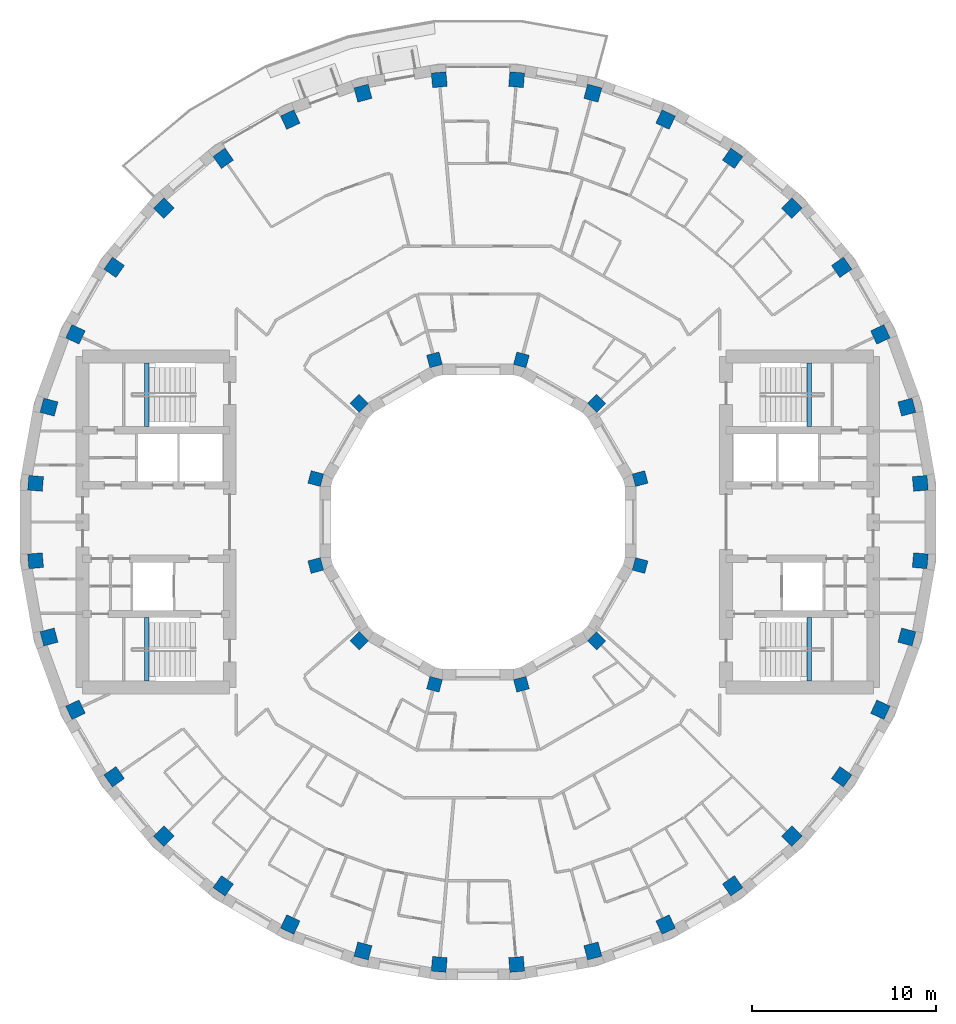
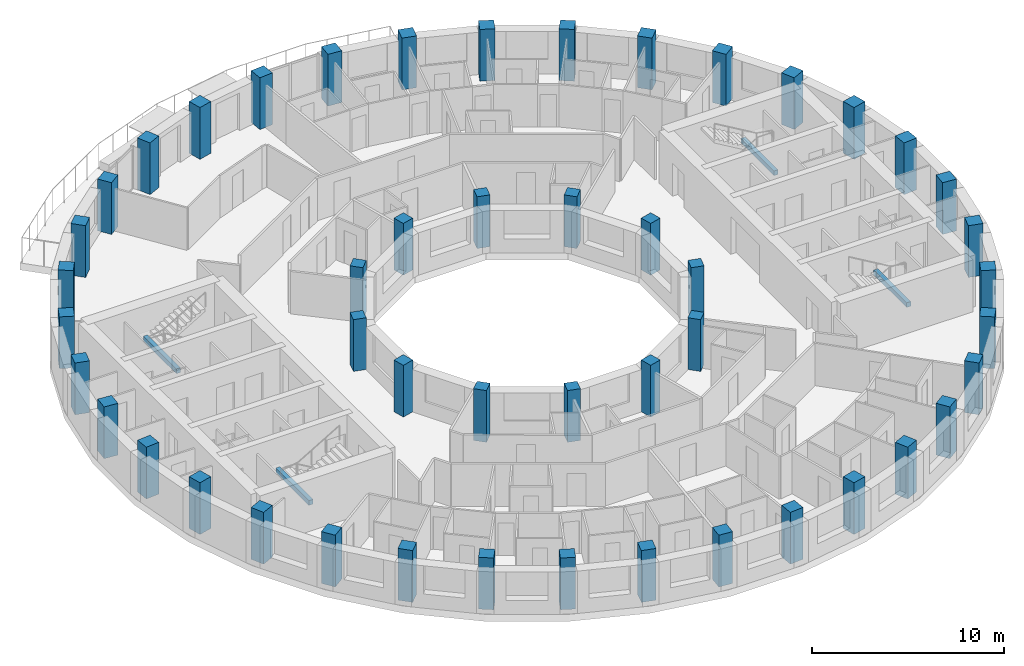
# One storey, part 1 of 14: 48 columns, 4 beams.
"""IFC4 building model written with IfcOpenShell, lengths in metres."""

from ifc_helpers import new_model, si_unit, direction, frame, origin, origin_2d, place, context, subcontext, project, spatial, rectangle, extrude, material, material_profile, profile_set, type_object, element, save


model = new_model("IFC4")

# Units and contexts
model_context = context("Model", 3, precision=1e-05, world=origin(), true_north=direction((0.0, 1.0)))
body_context = subcontext(model_context, "Body", "Model", "MODEL_VIEW")
ifc_project = project(units=[si_unit("LENGTHUNIT", "METRE"), si_unit("AREAUNIT", "SQUARE_METRE"), si_unit("VOLUMEUNIT", "CUBIC_METRE"), si_unit("PLANEANGLEUNIT", "RADIAN"), si_unit("MASSUNIT", "GRAM", prefix="KILO")], contexts=[model_context])

# Site, building, storey
site_placement = place(None, origin())
site = spatial("IfcSite", under=ifc_project, at=site_placement, CompositionType="ELEMENT")
building_placement = place(site_placement, origin())
building = spatial("IfcBuilding", under=site, at=building_placement, Name="Saqina Gate Tower", CompositionType="ELEMENT")
storey_placement = place(building_placement, frame((0.0, 0.0, 216.89990234375)))
storey = spatial("IfcBuildingStorey", under=building, at=storey_placement, Name="L62", CompositionType="ELEMENT", Elevation=216.89990234375)

# Columns
ifc_material_1 = material(Name="Concrete C60/75", Category="concrete")
ifc_material_profile_1 = material_profile(ifc_material_1, rectangle(XDim=0.699951171875, YDim=0.699951171875, at=origin_2d()), Name="RC 700x700")
ifc_profile_set_1 = profile_set([ifc_material_profile_1], Name="Concrete C60/75")
column_type_1 = type_object("IfcColumnType", Name="STR-COL-IN-C", PredefinedType="COLUMN", material=ifc_profile_set_1)
for number, where, z_axis, x_axis, name in (
    (1, (8.821044921875, 2.363525390625, 0.0), (0.0, 0.0, 1.0), (0.965925826289, 0.258819045103, 0.0), "L62-ICL01"),
    (2, (6.45751953125, 6.45751953125, 0.0), (0.0, 0.0, 1.0), (0.707106781187, 0.707106781187, 0.0), "L62-ICL02"),
    (3, (2.363525390625, 8.821044921875, 0.0), (0.0, 0.0, 1.0), (0.258819045103, 0.965925826289, 0.0), "L62-ICL03"),
    (4, (-2.363525390625, 8.821044921875, 0.0), (0.0, 0.0, 1.0), (-0.258819045103, 0.965925826289, 0.0), "L62-ICL04"),
    (5, (-6.45751953125, 6.45751953125, 0.0), (0.0, 0.0, 1.0), (-0.707106781187, 0.707106781187, 0.0), "L62-ICL05"),
    (6, (-8.821044921875, 2.363525390625, 0.0), (0.0, 0.0, 1.0), (-0.965925826289, 0.258819045103, 0.0), "L62-ICL06"),
    (7, (-8.821044921875, -2.363525390625, 0.0), (0.0, 0.0, 1.0), (-0.965925826289, -0.258819045103, 0.0), "L62-ICL07"),
    (8, (-6.45751953125, -6.45751953125, 0.0), (0.0, 0.0, 1.0), (-0.707106781187, -0.707106781187, 0.0), "L62-ICL08"),
    (9, (-2.363525390625, -8.821044921875, 0.0), (0.0, 0.0, 1.0), (-0.258819045103, -0.965925826289, 0.0), "L62-ICL09"),
    (10, (2.363525390625, -8.821044921875, 0.0), (0.0, 0.0, 1.0), (0.258819045103, -0.965925826289, 0.0), "L62-ICL10"),
    (11, (6.45751953125, -6.45751953125, 0.0), (0.0, 0.0, 1.0), (0.707106781187, -0.707106781187, 0.0), "L62-ICL11"),
    (12, (8.821044921875, -2.363525390625, 0.0), (0.0, 0.0, 1.0), (0.965925826289, -0.258819045103, 0.0), "L62-ICL12"),
):
    element("IfcColumn", number, at=place(storey_placement, frame(where, z_axis=z_axis, x_axis=x_axis)), inside=storey, type_object=column_type_1, Name=name, PredefinedType="COLUMN", context=body_context, shape_type="SweptSolid", body=[
        extrude(rectangle(XDim=0.699951171875, YDim=0.699951171875, at=origin_2d()), origin(), (0.0, 0.0, 1.0), 3.300048828125),
    ])
ifc_material_2 = material(Name="Concrete C60/75", Category="concrete")
ifc_material_profile_2 = material_profile(ifc_material_2, rectangle(XDim=0.800048828125, YDim=0.800048828125, at=origin_2d()), Name="RC 800x800")
ifc_profile_set_2 = profile_set([ifc_material_profile_2], Name="Concrete C60/75")
column_type_2 = type_object("IfcColumnType", Name="STR-COL-OUT-C", PredefinedType="COLUMN", material=ifc_profile_set_2)
for number, where, z_axis, x_axis, name in (
    (13, (24.05810546875, 2.104736328125, 0.0), (0.0, 0.0, 1.0), (0.996194698092, 0.087155742748, 0.0), "L62-COL01"),
    (14, (23.3271484375, 6.25048828125, 0.0), (0.0, 0.0, 1.0), (0.965925826289, 0.258819045103, 0.0), "L62-COL02"),
    (15, (21.887451171875, 10.206298828125, 0.0), (0.0, 0.0, 1.0), (0.906307787037, 0.422618261741, 0.0), "L62-COL03"),
    (16, (19.782470703125, 13.851806640625, 0.0), (0.0, 0.0, 1.0), (0.819152044289, 0.573576436351, 0.0), "L62-COL04"),
    (17, (17.07666015625, 17.07666015625, 0.0), (0.0, 0.0, 1.0), (0.707106781187, 0.707106781187, 0.0), "L62-COL05"),
    (18, (13.851806640625, 19.782470703125, 0.0), (0.0, 0.0, 1.0), (0.573576436351, 0.819152044289, 0.0), "L62-COL06"),
    (19, (10.206298828125, 21.887451171875, 0.0), (0.0, 0.0, 1.0), (0.422618261741, 0.906307787037, 0.0), "L62-COL07"),
    (20, (6.25048828125, 23.3271484375, 0.0), (0.0, 0.0, 1.0), (0.258819045103, 0.965925826289, 0.0), "L62-COL08"),
    (21, (2.104736328125, 24.05810546875, 0.0), (0.0, 0.0, 1.0), (0.087155742748, 0.996194698092, 0.0), "L62-COL09"),
    (22, (-2.104736328125, 24.05810546875, 0.0), (0.0, 0.0, 1.0), (-0.087155742748, 0.996194698092, 0.0), "L62-COL10"),
    (23, (-6.25048828125, 23.3271484375, 0.0), (0.0, 0.0, 1.0), (-0.258819045103, 0.965925826289, 0.0), "L62-COL11"),
    (24, (-10.206298828125, 21.887451171875, 0.0), (0.0, 0.0, 1.0), (-0.422618261741, 0.906307787037, 0.0), "L62-COL12"),
    (25, (-13.851806640625, 19.782470703125, 0.0), (0.0, 0.0, 1.0), (-0.573576436351, 0.819152044289, 0.0), "L62-COL13"),
    (26, (-17.07666015625, 17.07666015625, 0.0), (0.0, 0.0, 1.0), (-0.707106781187, 0.707106781187, 0.0), "L62-COL14"),
    (27, (-19.782470703125, 13.851806640625, 0.0), (0.0, 0.0, 1.0), (-0.819152044289, 0.573576436351, 0.0), "L62-COL15"),
    (28, (-21.887451171875, 10.206298828125, 0.0), (0.0, 0.0, 1.0), (-0.906307787037, 0.422618261741, 0.0), "L62-COL16"),
    (29, (-23.3271484375, 6.25048828125, 0.0), (0.0, 0.0, 1.0), (-0.965925826289, 0.258819045103, 0.0), "L62-COL17"),
    (30, (-24.05810546875, 2.104736328125, 0.0), (0.0, 0.0, 1.0), (-0.996194698092, 0.087155742748, 0.0), "L62-COL18"),
    (31, (-24.05810546875, -2.104736328125, 0.0), (0.0, 0.0, 1.0), (-0.996194698092, -0.087155742748, 0.0), "L62-COL19"),
    (32, (-23.3271484375, -6.25048828125, 0.0), (0.0, 0.0, 1.0), (-0.965925826289, -0.258819045103, 0.0), "L62-COL20"),
    (33, (-21.887451171875, -10.206298828125, 0.0), (0.0, 0.0, 1.0), (-0.906307787037, -0.422618261741, 0.0), "L62-COL21"),
    (34, (-19.782470703125, -13.851806640625, 0.0), (0.0, 0.0, 1.0), (-0.819152044289, -0.573576436351, 0.0), "L62-COL22"),
    (35, (-17.07666015625, -17.07666015625, 0.0), (0.0, 0.0, 1.0), (-0.707106781187, -0.707106781187, 0.0), "L62-COL23"),
    (36, (-13.851806640625, -19.782470703125, 0.0), (0.0, 0.0, 1.0), (-0.573576436351, -0.819152044289, 0.0), "L62-COL24"),
    (37, (-10.206298828125, -21.887451171875, 0.0), (0.0, 0.0, 1.0), (-0.422618261741, -0.906307787037, 0.0), "L62-COL25"),
    (38, (-6.25048828125, -23.3271484375, 0.0), (0.0, 0.0, 1.0), (-0.258819045103, -0.965925826289, 0.0), "L62-COL26"),
    (39, (-2.104736328125, -24.05810546875, 0.0), (0.0, 0.0, 1.0), (-0.087155742748, -0.996194698092, 0.0), "L62-COL27"),
    (40, (2.104736328125, -24.05810546875, 0.0), (0.0, 0.0, 1.0), (0.087155742748, -0.996194698092, 0.0), "L62-COL28"),
    (41, (6.25048828125, -23.3271484375, 0.0), (0.0, 0.0, 1.0), (0.258819045103, -0.965925826289, 0.0), "L62-COL29"),
    (42, (10.206298828125, -21.887451171875, 0.0), (0.0, 0.0, 1.0), (0.422618261741, -0.906307787037, 0.0), "L62-COL30"),
    (43, (13.851806640625, -19.782470703125, 0.0), (0.0, 0.0, 1.0), (0.573576436351, -0.819152044289, 0.0), "L62-COL31"),
    (44, (17.07666015625, -17.07666015625, 0.0), (0.0, 0.0, 1.0), (0.707106781187, -0.707106781187, 0.0), "L62-COL32"),
    (45, (19.782470703125, -13.851806640625, 0.0), (0.0, 0.0, 1.0), (0.819152044289, -0.573576436351, 0.0), "L62-COL33"),
    (46, (21.887451171875, -10.206298828125, 0.0), (0.0, 0.0, 1.0), (0.906307787037, -0.422618261741, 0.0), "L62-COL34"),
    (47, (23.3271484375, -6.25048828125, 0.0), (0.0, 0.0, 1.0), (0.965925826289, -0.258819045103, 0.0), "L62-COL35"),
    (48, (24.05810546875, -2.104736328125, 0.0), (0.0, 0.0, 1.0), (0.996194698092, -0.087155742748, 0.0), "L62-COL36"),
):
    element("IfcColumn", number, at=place(storey_placement, frame(where, z_axis=z_axis, x_axis=x_axis)), inside=storey, type_object=column_type_2, Name=name, PredefinedType="COLUMN", context=body_context, shape_type="SweptSolid", body=[
        extrude(rectangle(XDim=0.800048828125, YDim=0.800048828125, at=origin_2d()), origin(), (0.0, 0.0, 1.0), 3.300048828125),
    ])

# Beams
ifc_material_3 = material(Name="Concrete C40/50", Category="concrete")
ifc_material_profile_3 = material_profile(ifc_material_3, rectangle(XDim=0.25, YDim=0.300048828125, at=origin_2d()), Name="STAIR LANDING BEAM")
ifc_profile_set_3 = profile_set([ifc_material_profile_3], Name="Concrete C40/50")
beam_type = type_object("IfcBeamType", Name="STAIR LANDING BEAM", PredefinedType="BEAM", material=ifc_profile_set_3)
for number, where, z_axis, x_axis, name in (
    (49, (18.02001953125, 5.199951171875, 1.25), (0.0, 1.0, 0.0), (-1.0, 0.0, 0.0), "EXIT STAIR 1 LANDING BEAM"),
    (50, (18.02001953125, -8.64990234375, 1.25), (0.0, 1.0, 0.0), (-1.0, 0.0, 0.0), "EXIT STAIR 2 LANDING BEAM"),
    (51, (-18.02001953125, 5.199951171875, 1.25), (0.0, 1.0, 0.0), (-1.0, 0.0, 0.0), "EXIT STAIR 3 LANDING BEAM"),
    (52, (-18.02001953125, -8.64990234375, 1.25), (0.0, 1.0, 0.0), (-1.0, 0.0, 0.0), "EXIT STAIR 4 LANDING BEAM"),
):
    element("IfcBeam", number, at=place(storey_placement, frame(where, z_axis=z_axis, x_axis=x_axis)), inside=storey, type_object=beam_type, Name=name, PredefinedType="BEAM", context=body_context, shape_type="SweptSolid", body=[
        extrude(rectangle(XDim=0.25, YDim=0.300048828125, at=origin_2d()), origin(), (0.0, 0.0, 1.0), 3.449951171875),
    ])

save(model, "model.ifc")
